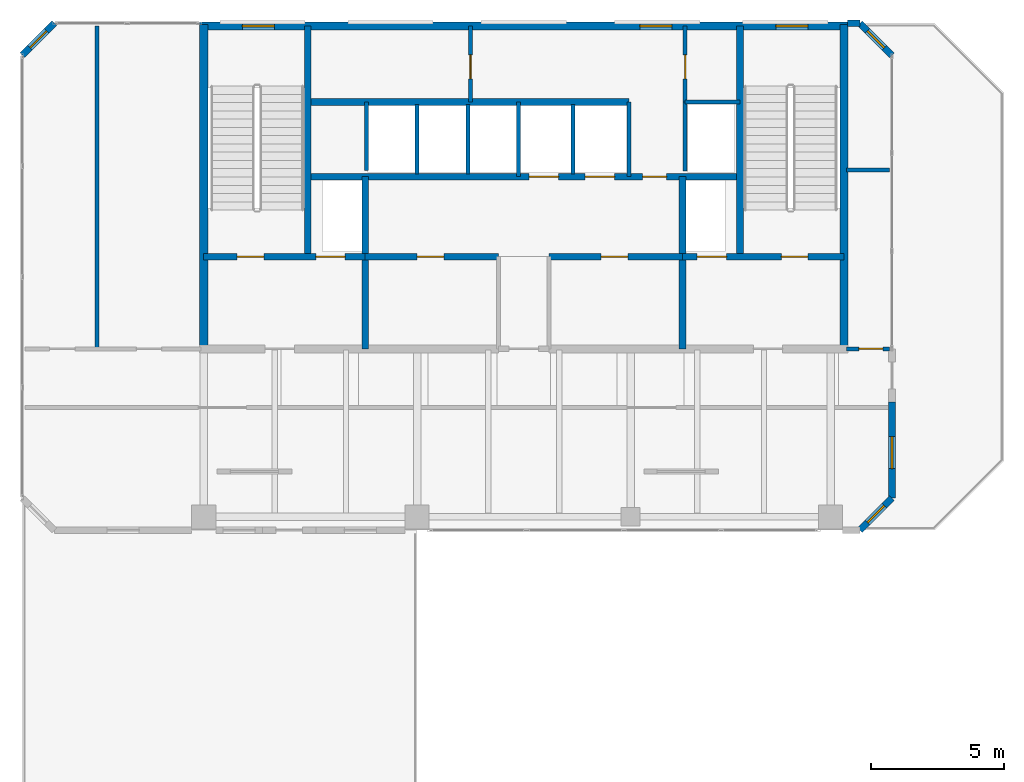
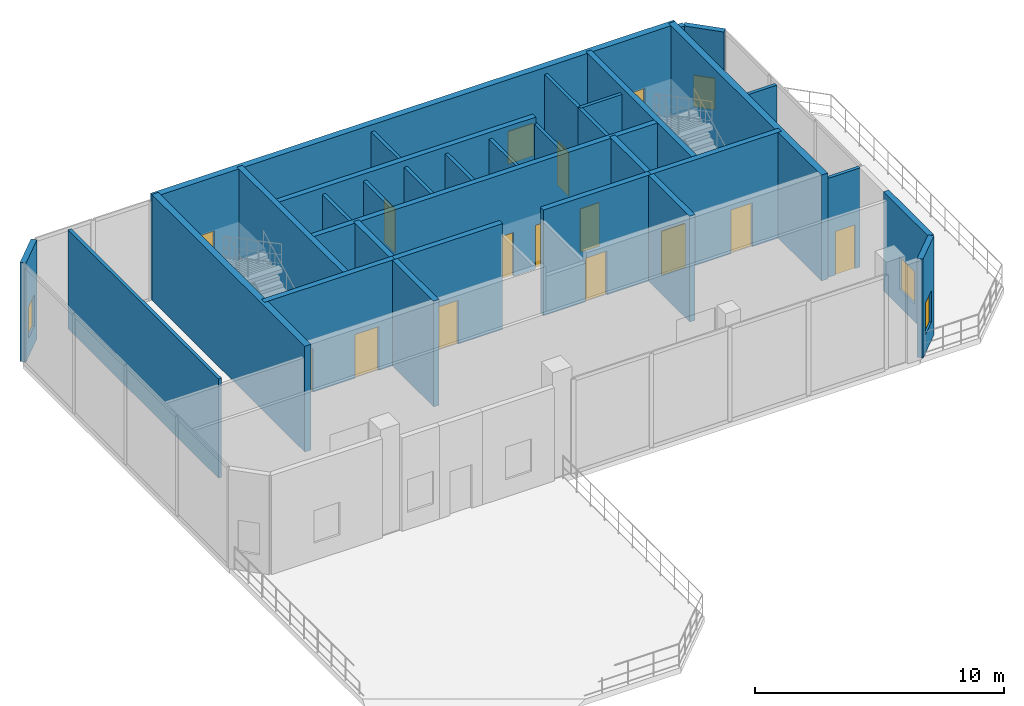
# One storey, part 8 of 11: 31 walls, 12 doors, 7 windows, 19 openings.
"""IFC4 building model written with IfcOpenShell, lengths in metres."""

from ifc_helpers import new_model, si_unit, direction, frame, frame_2d, origin, place, context, subcontext, project, spatial, rectangle, extrude, material, layer, layer_set, type_object, element, fill, save


model = new_model("IFC4")

# Units and contexts
model_context = context("Model", 3, precision=1e-05, world=origin(), true_north=direction((0.0, 1.0)))
body_context = subcontext(model_context, "Body", "Model", "MODEL_VIEW")
ifc_project = project(units=[si_unit("LENGTHUNIT", "METRE"), si_unit("AREAUNIT", "SQUARE_METRE"), si_unit("VOLUMEUNIT", "CUBIC_METRE"), si_unit("PLANEANGLEUNIT", "RADIAN"), si_unit("MASSUNIT", "GRAM", prefix="KILO")], contexts=[model_context])

# Site, building, storey
site_placement = place(None, origin())
site = spatial("IfcSite", under=ifc_project, at=site_placement, CompositionType="ELEMENT")
building_placement = place(site_placement, origin())
building = spatial("IfcBuilding", under=site, at=building_placement, Name="Catumbela Crestline Tower", CompositionType="ELEMENT")
storey_placement = place(building_placement, frame((0.0, 0.0, 290.6)))
storey = spatial("IfcBuildingStorey", under=building, at=storey_placement, Name="L75", CompositionType="ELEMENT", Elevation=290.6)

# Walls
ifc_material_1 = material(Name="Concrete C50/60", Category="concrete")
ifc_layer_1 = layer(ifc_material_1, 0.25, Name="Concrete C50/60")
ifc_layer_set_1 = layer_set([ifc_layer_1], Name="Concrete C50/60")
wall_type_1 = type_object("IfcWallType", Name="CW-250D", PredefinedType="SHEAR", material=ifc_layer_set_1)
for number, where, z_axis, x_axis, name in (
    (1, (19.9, 34.25, 0.0), (0.0, 0.0, 1.0), (0.0, 1.0, 0.0), "L75 Structural Core Shear Wall WWEB"),
    (2, (36.1, 34.25, 0.0), (0.0, 0.0, 1.0), (0.0, 1.0, 0.0), "L75 Structural Core Shear Wall EWEB"),
):
    element("IfcWall", number, at=place(storey_placement, frame(where, z_axis=z_axis, x_axis=x_axis)), inside=storey, type_object=wall_type_1, Name=name, PredefinedType="SHEAR", context=body_context, shape_type="SweptSolid", body=[
        extrude(rectangle(XDim=8.65, YDim=0.25, at=frame_2d((4.325, 0.0))), origin(), (0.0, 0.0, 1.0), 5.2),
    ])
for number, where, z_axis, x_axis, name in (
    (3, (22.05, 30.8, 0.0), (0.0, 0.0, 1.0), (0.0, 1.0, 0.0), "L75 Structural Core Shear Wall FFW"),
    (4, (33.95, 30.8, 0.0), (0.0, 0.0, 1.0), (0.0, 1.0, 0.0), "L75 Structural Core Shear Wall FFE"),
):
    element("IfcWall", number, at=place(storey_placement, frame(where, z_axis=z_axis, x_axis=x_axis)), inside=storey, type_object=wall_type_1, Name=name, PredefinedType="SHEAR", context=body_context, shape_type="SweptSolid", body=[
        extrude(rectangle(XDim=6.45, YDim=0.25, at=frame_2d((3.225, 0.0))), origin(), (0.0, 0.0, 1.0), 5.2),
    ])

# Wall, openings, doors
wall_1_placement = place(storey_placement, frame((16.0, 34.25, 0.0), z_axis=(0.0, 0.0, 1.0), x_axis=(1.0, 0.0, 0.0)))
wall_1 = element("IfcWall", 5, at=wall_1_placement, inside=storey, type_object=wall_type_1, Name="L75 Structural Core Shear Wall ST1S", PredefinedType="SHEAR", context=body_context, shape_type="SweptSolid", body=[
    extrude(rectangle(XDim=6.05, YDim=0.25, at=frame_2d((3.025, 0.0))), origin(), (0.0, 0.0, 1.0), 5.2),
])
opening_1_placement = place(wall_1_placement, frame((1.25, 0.0, 0.0)))
opening_1 = element("IfcOpeningElement", 6, at=opening_1_placement, cuts=wall_1, Name="Opening DF9-100", PredefinedType="OPENING", context=body_context, shape_type="SweptSolid", body=[
    extrude(rectangle(XDim=1.0, YDim=2.15, at=frame_2d((0.5, 1.075))), frame((0.0, 0.135, 0.0), z_axis=(0.0, -1.0, 0.0), x_axis=(1.0, 0.0, 0.0)), (0.0, 0.0, 1.0), 0.27),
])
opening_2_placement = place(wall_1_placement, frame((4.2, 0.0, 0.0)))
opening_2 = element("IfcOpeningElement", 7, at=opening_2_placement, cuts=wall_1, Name="Opening LD-110", PredefinedType="OPENING", context=body_context, shape_type="SweptSolid", body=[
    extrude(rectangle(XDim=1.1, YDim=2.15, at=frame_2d((0.55, 1.075))), frame((0.0, 0.135, 0.0), z_axis=(0.0, -1.0, 0.0), x_axis=(1.0, 0.0, 0.0)), (0.0, 0.0, 1.0), 0.27),
])
ifc_material_2 = material(Name="Stainless steel EN 1.4401", Category="steel")
door_type_1 = type_object("IfcDoorType", Name="DF9-100", OperationType="NOTDEFINED", PredefinedType="DOOR", material=ifc_material_2)
door_1_placement = place(opening_1_placement, origin())
door_1 = element("IfcDoor", 8, at=door_1_placement, inside=storey, type_object=door_type_1, Name="L75 Interior Door DR-L75-ST01", OperationType="SINGLE_SWING_LEFT", OverallHeight=2.15, OverallWidth=1.0, PredefinedType="DOOR", context=body_context, shape_type="SweptSolid", body=[
    extrude(rectangle(XDim=1.0, YDim=2.15, at=frame_2d((0.5, 1.075))), frame((0.0, 0.025, 0.0), z_axis=(0.0, -1.0, 0.0), x_axis=(1.0, 0.0, 0.0)), (0.0, 0.0, 1.0), 0.05),
])
fill(opening_1, door_1)
door_type_2 = type_object("IfcDoorType", Name="LD-110", OperationType="NOTDEFINED", PredefinedType="DOOR", material=ifc_material_2)
door_2_placement = place(opening_2_placement, origin())
door_2 = element("IfcDoor", 9, at=door_2_placement, inside=storey, type_object=door_type_2, Name="L75 Lift Landing Sliding Door FL-01", OperationType="DOUBLE_DOOR_SLIDING", OverallHeight=2.15, OverallWidth=1.1, PredefinedType="DOOR", context=body_context, shape_type="SweptSolid", body=[
    extrude(rectangle(XDim=1.1, YDim=2.15, at=frame_2d((0.55, 1.075))), frame((0.0, 0.025, 0.0), z_axis=(0.0, -1.0, 0.0), x_axis=(1.0, 0.0, 0.0)), (0.0, 0.0, 1.0), 0.05),
])
fill(opening_2, door_2)

wall_2_placement = place(storey_placement, frame((33.95, 34.25, 0.0), z_axis=(0.0, 0.0, 1.0), x_axis=(1.0, 0.0, 0.0)))
wall_2 = element("IfcWall", 10, at=wall_2_placement, inside=storey, type_object=wall_type_1, Name="L75 Structural Core Shear Wall ST2S", PredefinedType="SHEAR", context=body_context, shape_type="SweptSolid", body=[
    extrude(rectangle(XDim=6.05, YDim=0.25, at=frame_2d((3.025, 0.0))), origin(), (0.0, 0.0, 1.0), 5.2),
])
opening_3_placement = place(wall_2_placement, frame((3.7, 0.0, 0.0)))
opening_3 = element("IfcOpeningElement", 11, at=opening_3_placement, cuts=wall_2, Name="Opening DF9-100", PredefinedType="OPENING", context=body_context, shape_type="SweptSolid", body=[
    extrude(rectangle(XDim=1.0, YDim=2.15, at=frame_2d((0.5, 1.075))), frame((0.0, 0.135, 0.0), z_axis=(0.0, -1.0, 0.0), x_axis=(1.0, 0.0, 0.0)), (0.0, 0.0, 1.0), 0.27),
])
opening_4_placement = place(wall_2_placement, frame((0.55, 0.0, 0.0)))
opening_4 = element("IfcOpeningElement", 12, at=opening_4_placement, cuts=wall_2, Name="Opening LD-110", PredefinedType="OPENING", context=body_context, shape_type="SweptSolid", body=[
    extrude(rectangle(XDim=1.1, YDim=2.15, at=frame_2d((0.55, 1.075))), frame((0.0, 0.135, 0.0), z_axis=(0.0, -1.0, 0.0), x_axis=(1.0, 0.0, 0.0)), (0.0, 0.0, 1.0), 0.27),
])
door_3_placement = place(opening_3_placement, origin())
door_3 = element("IfcDoor", 13, at=door_3_placement, inside=storey, type_object=door_type_1, Name="L75 Interior Door DR-L75-ST02", OperationType="SINGLE_SWING_RIGHT", OverallHeight=2.15, OverallWidth=1.0, PredefinedType="DOOR", context=body_context, shape_type="SweptSolid", body=[
    extrude(rectangle(XDim=1.0, YDim=2.15, at=frame_2d((0.5, 1.075))), frame((0.0, 0.025, 0.0), z_axis=(0.0, -1.0, 0.0), x_axis=(1.0, 0.0, 0.0)), (0.0, 0.0, 1.0), 0.05),
])
fill(opening_3, door_3)
door_4_placement = place(opening_4_placement, origin())
door_4 = element("IfcDoor", 14, at=door_4_placement, inside=storey, type_object=door_type_2, Name="L75 Lift Landing Sliding Door FL-02", OperationType="DOUBLE_DOOR_SLIDING", OverallHeight=2.15, OverallWidth=1.1, PredefinedType="DOOR", context=body_context, shape_type="SweptSolid", body=[
    extrude(rectangle(XDim=1.1, YDim=2.15, at=frame_2d((0.55, 1.075))), frame((0.0, 0.025, 0.0), z_axis=(0.0, -1.0, 0.0), x_axis=(1.0, 0.0, 0.0)), (0.0, 0.0, 1.0), 0.05),
])
fill(opening_4, door_4)

# Wall, opening, door
wall_3_placement = place(storey_placement, frame((22.05, 34.25, 0.0), z_axis=(0.0, 0.0, 1.0), x_axis=(1.0, 0.0, 0.0)))
wall_3 = element("IfcWall", 15, at=wall_3_placement, inside=storey, type_object=wall_type_1, Name="L75 Structural Core Shear Wall LIFTS-W", PredefinedType="SHEAR", context=body_context, shape_type="SweptSolid", body=[
    extrude(rectangle(XDim=5.0, YDim=0.25, at=frame_2d((2.5, 0.0))), origin(), (0.0, 0.0, 1.0), 5.2),
])
opening_5_placement = place(wall_3_placement, frame((1.95, 0.0, 0.0)))
opening_5 = element("IfcOpeningElement", 16, at=opening_5_placement, cuts=wall_3, Name="Opening DF9-100", PredefinedType="OPENING", context=body_context, shape_type="SweptSolid", body=[
    extrude(rectangle(XDim=1.0, YDim=2.15, at=frame_2d((0.5, 1.075))), frame((0.0, 0.135, 0.0), z_axis=(0.0, -1.0, 0.0), x_axis=(1.0, 0.0, 0.0)), (0.0, 0.0, 1.0), 0.27),
])
door_5_placement = place(opening_5_placement, origin())
door_5 = element("IfcDoor", 17, at=door_5_placement, inside=storey, type_object=door_type_1, Name="L75 Interior Door DR-L75-RECL1", OperationType="SINGLE_SWING_LEFT", OverallHeight=2.15, OverallWidth=1.0, PredefinedType="DOOR", context=body_context, shape_type="SweptSolid", body=[
    extrude(rectangle(XDim=1.0, YDim=2.15, at=frame_2d((0.5, 1.075))), frame((0.0, 0.025, 0.0), z_axis=(0.0, -1.0, 0.0), x_axis=(1.0, 0.0, 0.0)), (0.0, 0.0, 1.0), 0.05),
])
fill(opening_5, door_5)

wall_4_placement = place(storey_placement, frame((28.95, 34.25, 0.0), z_axis=(0.0, 0.0, 1.0), x_axis=(1.0, 0.0, 0.0)))
wall_4 = element("IfcWall", 18, at=wall_4_placement, inside=storey, type_object=wall_type_1, Name="L75 Structural Core Shear Wall LIFTS-E", PredefinedType="SHEAR", context=body_context, shape_type="SweptSolid", body=[
    extrude(rectangle(XDim=5.0, YDim=0.25, at=frame_2d((2.5, 0.0))), origin(), (0.0, 0.0, 1.0), 5.2),
])
opening_6_placement = place(wall_4_placement, frame((1.95, 0.0, 0.0)))
opening_6 = element("IfcOpeningElement", 19, at=opening_6_placement, cuts=wall_4, Name="Opening DF9-100", PredefinedType="OPENING", context=body_context, shape_type="SweptSolid", body=[
    extrude(rectangle(XDim=1.0, YDim=2.15, at=frame_2d((0.5, 1.075))), frame((0.0, 0.135, 0.0), z_axis=(0.0, -1.0, 0.0), x_axis=(1.0, 0.0, 0.0)), (0.0, 0.0, 1.0), 0.27),
])
door_6_placement = place(opening_6_placement, origin())
door_6 = element("IfcDoor", 20, at=door_6_placement, inside=storey, type_object=door_type_1, Name="L75 Interior Door DR-L75-RECL2", OperationType="SINGLE_SWING_RIGHT", OverallHeight=2.15, OverallWidth=1.0, PredefinedType="DOOR", context=body_context, shape_type="SweptSolid", body=[
    extrude(rectangle(XDim=1.0, YDim=2.15, at=frame_2d((0.5, 1.075))), frame((0.0, 0.025, 0.0), z_axis=(0.0, -1.0, 0.0), x_axis=(1.0, 0.0, 0.0)), (0.0, 0.0, 1.0), 0.05),
])
fill(opening_6, door_6)

# Wall, openings, doors
wall_5_placement = place(storey_placement, frame((19.9, 37.25, 0.0), z_axis=(0.0, 0.0, 1.0), x_axis=(1.0, 0.0, 0.0)))
wall_5 = element("IfcWall", 21, at=wall_5_placement, inside=storey, type_object=wall_type_1, Name="L75 Structural Core Shear Wall LIFTN", PredefinedType="SHEAR", context=body_context, shape_type="SweptSolid", body=[
    extrude(rectangle(XDim=16.2, YDim=0.25, at=frame_2d((8.1, 0.0))), origin(), (0.0, 0.0, 1.0), 5.2),
])
opening_7_placement = place(wall_5_placement, frame((12.55, 0.0, 0.0)))
opening_7 = element("IfcOpeningElement", 22, at=opening_7_placement, cuts=wall_5, Name="Opening DF9-090", PredefinedType="OPENING", context=body_context, shape_type="SweptSolid", body=[
    extrude(rectangle(XDim=0.9, YDim=2.15, at=frame_2d((0.45, 1.075))), frame((0.0, 0.135, 0.0), z_axis=(0.0, -1.0, 0.0), x_axis=(1.0, 0.0, 0.0)), (0.0, 0.0, 1.0), 0.27),
])
opening_8_placement = place(wall_5_placement, frame((8.3, 0.0, 0.0)))
opening_8 = element("IfcOpeningElement", 23, at=opening_8_placement, cuts=wall_5, Name="Opening LD-110", PredefinedType="OPENING", context=body_context, shape_type="SweptSolid", body=[
    extrude(rectangle(XDim=1.1, YDim=2.15, at=frame_2d((0.55, 1.075))), frame((0.0, 0.135, 0.0), z_axis=(0.0, -1.0, 0.0), x_axis=(1.0, 0.0, 0.0)), (0.0, 0.0, 1.0), 0.27),
])
opening_9_placement = place(wall_5_placement, frame((10.4, 0.0, 0.0)))
opening_9 = element("IfcOpeningElement", 24, at=opening_9_placement, cuts=wall_5, Name="Opening LD-110", PredefinedType="OPENING", context=body_context, shape_type="SweptSolid", body=[
    extrude(rectangle(XDim=1.1, YDim=2.15, at=frame_2d((0.55, 1.075))), frame((0.0, 0.135, 0.0), z_axis=(0.0, -1.0, 0.0), x_axis=(1.0, 0.0, 0.0)), (0.0, 0.0, 1.0), 0.27),
])
door_type_3 = type_object("IfcDoorType", Name="DF9-090", OperationType="NOTDEFINED", PredefinedType="DOOR", material=ifc_material_2)
door_7_placement = place(opening_7_placement, origin())
door_7 = element("IfcDoor", 25, at=door_7_placement, inside=storey, type_object=door_type_3, Name="L75 Interior Door DR-L75-CPAS1", OperationType="SINGLE_SWING_LEFT", OverallHeight=2.15, OverallWidth=0.9, PredefinedType="DOOR", context=body_context, shape_type="SweptSolid", body=[
    extrude(rectangle(XDim=0.9, YDim=2.15, at=frame_2d((0.45, 1.075))), frame((0.0, 0.025, 0.0), z_axis=(0.0, -1.0, 0.0), x_axis=(1.0, 0.0, 0.0)), (0.0, 0.0, 1.0), 0.05),
])
fill(opening_7, door_7)
door_8_placement = place(opening_8_placement, origin())
door_8 = element("IfcDoor", 26, at=door_8_placement, inside=storey, type_object=door_type_2, Name="L75 Lift Landing Sliding Door PL-EX1", OperationType="DOUBLE_DOOR_SLIDING", OverallHeight=2.15, OverallWidth=1.1, PredefinedType="DOOR", context=body_context, shape_type="SweptSolid", body=[
    extrude(rectangle(XDim=1.1, YDim=2.15, at=frame_2d((0.55, 1.075))), frame((0.0, 0.025, 0.0), z_axis=(0.0, -1.0, 0.0), x_axis=(1.0, 0.0, 0.0)), (0.0, 0.0, 1.0), 0.05),
])
fill(opening_8, door_8)
door_9_placement = place(opening_9_placement, origin())
door_9 = element("IfcDoor", 27, at=door_9_placement, inside=storey, type_object=door_type_2, Name="L75 Lift Landing Sliding Door PL-EX2", OperationType="DOUBLE_DOOR_SLIDING", OverallHeight=2.15, OverallWidth=1.1, PredefinedType="DOOR", context=body_context, shape_type="SweptSolid", body=[
    extrude(rectangle(XDim=1.1, YDim=2.15, at=frame_2d((0.55, 1.075))), frame((0.0, 0.025, 0.0), z_axis=(0.0, -1.0, 0.0), x_axis=(1.0, 0.0, 0.0)), (0.0, 0.0, 1.0), 0.05),
])
fill(opening_9, door_9)

# Walls
wall_6_placement = place(storey_placement, frame((19.9, 40.05, 0.0), z_axis=(0.0, 0.0, 1.0), x_axis=(1.0, 0.0, 0.0)))
element("IfcWall", 28, at=wall_6_placement, inside=storey, type_object=wall_type_1, Name="L75 Structural Core Shear Wall COREN", PredefinedType="SHEAR", context=body_context, shape_type="SweptSolid", body=[
    extrude(rectangle(XDim=12.05, YDim=0.25, at=frame_2d((6.025, 0.0))), origin(), (0.0, 0.0, 1.0), 5.2),
])
ifc_material_3 = material(Name="Concrete C45/55", Category="concrete")
ifc_layer_2 = layer(ifc_material_3, 0.3, Name="Concrete C45/55")
ifc_layer_set_2 = layer_set([ifc_layer_2], Name="Concrete C45/55")
wall_type_2 = type_object("IfcWallType", Name="CW-300C", PredefinedType="SHEAR", material=ifc_layer_set_2)
for number, where, z_axis, x_axis, name in (
    (29, (16.0, 30.65, 0.0), (0.0, 0.0, 1.0), (0.0, 1.0, 0.0), "L75 Structural Core Shear Wall W"),
    (30, (40.0, 30.65, 0.0), (0.0, 0.0, 1.0), (0.0, 1.0, 0.0), "L75 Structural Core Shear Wall E"),
):
    element("IfcWall", number, at=place(storey_placement, frame(where, z_axis=z_axis, x_axis=x_axis)), inside=storey, type_object=wall_type_2, Name=name, PredefinedType="SHEAR", context=body_context, shape_type="SweptSolid", body=[
        extrude(rectangle(XDim=12.3, YDim=0.3, at=frame_2d((6.15, 0.0))), origin(), (0.0, 0.0, 1.0), 5.2),
    ])

# Wall, openings, windows
ifc_layer_3 = layer(ifc_material_3, 0.3, Name="Concrete C45/55")
ifc_layer_set_3 = layer_set([ifc_layer_3], Name="Concrete C45/55")
wall_type_3 = type_object("IfcWallType", Name="CW-300E", PredefinedType="SHEAR", material=ifc_layer_set_3)
wall_7_placement = place(storey_placement, frame((15.85, 42.9, 0.0), z_axis=(0.0, 0.0, 1.0), x_axis=(1.0, 0.0, 0.0)))
wall_7 = element("IfcWall", 31, at=wall_7_placement, inside=storey, type_object=wall_type_3, Name="L75 Structural Core Shear Wall N", PredefinedType="SHEAR", context=body_context, shape_type="SweptSolid", body=[
    extrude(rectangle(XDim=24.3, YDim=0.3, at=frame_2d((12.15, 0.0))), origin(), (0.0, 0.0, 1.0), 5.2),
])
opening_10_placement = place(wall_7_placement, frame((1.6, 0.0, 0.95)))
opening_10 = element("IfcOpeningElement", 32, at=opening_10_placement, cuts=wall_7, Name="Opening WN-02", PredefinedType="OPENING", context=body_context, shape_type="SweptSolid", body=[
    extrude(rectangle(XDim=1.2, YDim=1.6, at=frame_2d((0.6, 0.8))), frame((0.0, 0.16, 0.0), z_axis=(0.0, -1.0, 0.0), x_axis=(1.0, 0.0, 0.0)), (0.0, 0.0, 1.0), 0.32),
])
opening_11_placement = place(wall_7_placement, frame((16.5, 0.0, 0.95)))
opening_11 = element("IfcOpeningElement", 33, at=opening_11_placement, cuts=wall_7, Name="Opening WN-02", PredefinedType="OPENING", context=body_context, shape_type="SweptSolid", body=[
    extrude(rectangle(XDim=1.2, YDim=1.6, at=frame_2d((0.6, 0.8))), frame((0.0, 0.16, 0.0), z_axis=(0.0, -1.0, 0.0), x_axis=(1.0, 0.0, 0.0)), (0.0, 0.0, 1.0), 0.32),
])
opening_12_placement = place(wall_7_placement, frame((21.6, 0.0, 0.95)))
opening_12 = element("IfcOpeningElement", 34, at=opening_12_placement, cuts=wall_7, Name="Opening WN-02", PredefinedType="OPENING", context=body_context, shape_type="SweptSolid", body=[
    extrude(rectangle(XDim=1.2, YDim=1.6, at=frame_2d((0.6, 0.8))), frame((0.0, 0.16, 0.0), z_axis=(0.0, -1.0, 0.0), x_axis=(1.0, 0.0, 0.0)), (0.0, 0.0, 1.0), 0.32),
])
ifc_material_4 = material(Name="Low-E laminated solar-control double glazing", Category="glass")
window_type_1 = type_object("IfcWindowType", Name="WO-1200", PartitioningType="SINGLE_PANEL", PredefinedType="WINDOW", material=ifc_material_4)
window_1_placement = place(opening_10_placement, origin())
window_1 = element("IfcWindow", 35, at=window_1_placement, inside=storey, type_object=window_type_1, Name="L75 North Core Daylight Vision Window 611", OverallHeight=1.6, OverallWidth=1.2, PartitioningType="SINGLE_PANEL", PredefinedType="WINDOW", context=body_context, shape_type="SweptSolid", body=[
    extrude(rectangle(XDim=1.2, YDim=1.6, at=frame_2d((0.6, 0.8))), frame((0.0, 0.03, 0.0), z_axis=(0.0, -1.0, 0.0), x_axis=(1.0, 0.0, 0.0)), (0.0, 0.0, 1.0), 0.06),
])
fill(opening_10, window_1)
window_2_placement = place(opening_11_placement, origin())
window_2 = element("IfcWindow", 36, at=window_2_placement, inside=storey, type_object=window_type_1, Name="L75 North Core Daylight Vision Window 612", OverallHeight=1.6, OverallWidth=1.2, PartitioningType="SINGLE_PANEL", PredefinedType="WINDOW", context=body_context, shape_type="SweptSolid", body=[
    extrude(rectangle(XDim=1.2, YDim=1.6, at=frame_2d((0.6, 0.8))), frame((0.0, 0.03, 0.0), z_axis=(0.0, -1.0, 0.0), x_axis=(1.0, 0.0, 0.0)), (0.0, 0.0, 1.0), 0.06),
])
fill(opening_11, window_2)
window_3_placement = place(opening_12_placement, origin())
window_3 = element("IfcWindow", 37, at=window_3_placement, inside=storey, type_object=window_type_1, Name="L75 North Core Daylight Vision Window 613", OverallHeight=1.6, OverallWidth=1.2, PartitioningType="SINGLE_PANEL", PredefinedType="WINDOW", context=body_context, shape_type="SweptSolid", body=[
    extrude(rectangle(XDim=1.2, YDim=1.6, at=frame_2d((0.6, 0.8))), frame((0.0, 0.03, 0.0), z_axis=(0.0, -1.0, 0.0), x_axis=(1.0, 0.0, 0.0)), (0.0, 0.0, 1.0), 0.06),
])
fill(opening_12, window_3)

# Wall, opening, window
ifc_material_5 = material(Name="Angolan grey-ochre granite", Category="masonry")
ifc_layer_4 = layer(ifc_material_5, 0.25, Name="Angolan grey-ochre granite")
ifc_layer_set_4 = layer_set([ifc_layer_4], Name="Angolan grey-ochre granite")
wall_type_4 = type_object("IfcWallType", Name="WE-250", PredefinedType="STANDARD", material=ifc_layer_set_4)
wall_8_placement = place(storey_placement, frame((40.6, 24.0, 0.0), z_axis=(0.0, 0.0, 1.0), x_axis=(0.707106781187, 0.707106781187, 0.0)))
wall_8 = element("IfcWall", 38, at=wall_8_placement, inside=storey, type_object=wall_type_4, Name="L75 Granite Punched Window Wall 1-1", PredefinedType="STANDARD", context=body_context, shape_type="SweptSolid", body=[
    extrude(rectangle(XDim=1.6971, YDim=0.25, at=frame_2d((0.8486, 0.0))), origin(), (0.0, 0.0, 1.0), 4.87),
])
opening_13_placement = place(wall_8_placement, frame((0.3986, 0.0, 0.9)))
opening_13 = element("IfcOpeningElement", 39, at=opening_13_placement, cuts=wall_8, Name="Opening WN-03", PredefinedType="OPENING", context=body_context, shape_type="SweptSolid", body=[
    extrude(rectangle(XDim=0.9, YDim=1.55, at=frame_2d((0.45, 0.775))), frame((0.0, 0.135, 0.0), z_axis=(0.0, -1.0, 0.0), x_axis=(1.0, 0.0, 0.0)), (0.0, 0.0, 1.0), 0.27),
])
window_type_2 = type_object("IfcWindowType", Name="WO-0900", PartitioningType="SINGLE_PANEL", PredefinedType="WINDOW", material=ifc_material_4)
window_4_placement = place(opening_13_placement, origin())
window_4 = element("IfcWindow", 40, at=window_4_placement, inside=storey, type_object=window_type_2, Name="L75 Facade Vision Window 617", OverallHeight=1.55, OverallWidth=0.9, PartitioningType="SINGLE_PANEL", PredefinedType="WINDOW", context=body_context, shape_type="SweptSolid", body=[
    extrude(rectangle(XDim=0.9, YDim=1.55, at=frame_2d((0.45, 0.775))), frame((0.0, 0.03, 0.0), z_axis=(0.0, -1.0, 0.0), x_axis=(1.0, 0.0, 0.0)), (0.0, 0.0, 1.0), 0.06),
])
fill(opening_13, window_4)

wall_9_placement = place(storey_placement, frame((41.8, 25.2, 0.0), z_axis=(0.0, 0.0, 1.0), x_axis=(0.0, 1.0, 0.0)))
wall_9 = element("IfcWall", 41, at=wall_9_placement, inside=storey, type_object=wall_type_4, Name="L75 Granite Punched Window Wall 2-1", PredefinedType="STANDARD", context=body_context, shape_type="SweptSolid", body=[
    extrude(rectangle(XDim=3.6, YDim=0.25, at=frame_2d((1.8, 0.0))), origin(), (0.0, 0.0, 1.0), 4.87),
])
opening_14_placement = place(wall_9_placement, frame((1.11, 0.0, 0.85)))
opening_14 = element("IfcOpeningElement", 42, at=opening_14_placement, cuts=wall_9, Name="Opening WN-02", PredefinedType="OPENING", context=body_context, shape_type="SweptSolid", body=[
    extrude(rectangle(XDim=1.2, YDim=1.6, at=frame_2d((0.6, 0.8))), frame((0.0, 0.135, 0.0), z_axis=(0.0, -1.0, 0.0), x_axis=(1.0, 0.0, 0.0)), (0.0, 0.0, 1.0), 0.27),
])
window_5_placement = place(opening_14_placement, origin())
window_5 = element("IfcWindow", 43, at=window_5_placement, inside=storey, type_object=window_type_1, Name="L75 Facade Vision Window 618", OverallHeight=1.6, OverallWidth=1.2, PartitioningType="SINGLE_PANEL", PredefinedType="WINDOW", context=body_context, shape_type="SweptSolid", body=[
    extrude(rectangle(XDim=1.2, YDim=1.6, at=frame_2d((0.6, 0.8))), frame((0.0, 0.03, 0.0), z_axis=(0.0, -1.0, 0.0), x_axis=(1.0, 0.0, 0.0)), (0.0, 0.0, 1.0), 0.06),
])
fill(opening_14, window_5)

wall_10_placement = place(storey_placement, frame((41.8, 41.8, 0.0), z_axis=(0.0, 0.0, 1.0), x_axis=(-0.707106781187, 0.707106781187, 0.0)))
wall_10 = element("IfcWall", 44, at=wall_10_placement, inside=storey, type_object=wall_type_4, Name="L75 Granite Punched Window Wall 3-1", PredefinedType="STANDARD", context=body_context, shape_type="SweptSolid", body=[
    extrude(rectangle(XDim=1.6971, YDim=0.25, at=frame_2d((0.8486, 0.0))), origin(), (0.0, 0.0, 1.0), 4.87),
])
opening_15_placement = place(wall_10_placement, frame((0.3986, 0.0, 0.9)))
opening_15 = element("IfcOpeningElement", 45, at=opening_15_placement, cuts=wall_10, Name="Opening WN-03", PredefinedType="OPENING", context=body_context, shape_type="SweptSolid", body=[
    extrude(rectangle(XDim=0.9, YDim=1.55, at=frame_2d((0.45, 0.775))), frame((0.0, 0.135, 0.0), z_axis=(0.0, -1.0, 0.0), x_axis=(1.0, 0.0, 0.0)), (0.0, 0.0, 1.0), 0.27),
])
window_6_placement = place(opening_15_placement, origin())
window_6 = element("IfcWindow", 46, at=window_6_placement, inside=storey, type_object=window_type_2, Name="L75 Facade Vision Window 619", OverallHeight=1.55, OverallWidth=0.9, PartitioningType="SINGLE_PANEL", PredefinedType="WINDOW", context=body_context, shape_type="SweptSolid", body=[
    extrude(rectangle(XDim=0.9, YDim=1.55, at=frame_2d((0.45, 0.775))), frame((0.0, 0.03, 0.0), z_axis=(0.0, -1.0, 0.0), x_axis=(1.0, 0.0, 0.0)), (0.0, 0.0, 1.0), 0.06),
])
fill(opening_15, window_6)

# Wall
wall_11_placement = place(storey_placement, frame((40.6, 43.0, 0.0), z_axis=(0.0, 0.0, 1.0), x_axis=(-1.0, 0.0, 0.0)))
element("IfcWall", 47, at=wall_11_placement, inside=storey, type_object=wall_type_4, Name="L75 Granite Punched Window Wall 4-1", PredefinedType="STANDARD", context=body_context, shape_type="SweptSolid", body=[
    extrude(rectangle(XDim=0.46, YDim=0.25, at=frame_2d((0.23, 0.0))), origin(), (0.0, 0.0, 1.0), 4.87),
])

# Wall, opening, window
wall_12_placement = place(storey_placement, frame((10.4, 43.0, 0.0), z_axis=(0.0, 0.0, 1.0), x_axis=(-0.707106781187, -0.707106781187, 0.0)))
wall_12 = element("IfcWall", 48, at=wall_12_placement, inside=storey, type_object=wall_type_4, Name="L75 Granite Punched Window Wall 5-1", PredefinedType="STANDARD", context=body_context, shape_type="SweptSolid", body=[
    extrude(rectangle(XDim=1.6971, YDim=0.25, at=frame_2d((0.8486, 0.0))), origin(), (0.0, 0.0, 1.0), 4.87),
])
opening_16_placement = place(wall_12_placement, frame((0.3986, 0.0, 0.9)))
opening_16 = element("IfcOpeningElement", 49, at=opening_16_placement, cuts=wall_12, Name="Opening WN-03", PredefinedType="OPENING", context=body_context, shape_type="SweptSolid", body=[
    extrude(rectangle(XDim=0.9, YDim=1.55, at=frame_2d((0.45, 0.775))), frame((0.0, 0.135, 0.0), z_axis=(0.0, -1.0, 0.0), x_axis=(1.0, 0.0, 0.0)), (0.0, 0.0, 1.0), 0.27),
])
window_7_placement = place(opening_16_placement, origin())
window_7 = element("IfcWindow", 50, at=window_7_placement, inside=storey, type_object=window_type_2, Name="L75 Facade Vision Window 620", OverallHeight=1.55, OverallWidth=0.9, PartitioningType="SINGLE_PANEL", PredefinedType="WINDOW", context=body_context, shape_type="SweptSolid", body=[
    extrude(rectangle(XDim=0.9, YDim=1.55, at=frame_2d((0.45, 0.775))), frame((0.0, 0.03, 0.0), z_axis=(0.0, -1.0, 0.0), x_axis=(1.0, 0.0, 0.0)), (0.0, 0.0, 1.0), 0.06),
])
fill(opening_16, window_7)

# Wall
ifc_material_6 = material(Name="Acoustic gypsum and mineral-wool partition")
ifc_layer_5 = layer(ifc_material_6, 0.15, Name="Acoustic gypsum and mineral-wool partition")
ifc_layer_set_5 = layer_set([ifc_layer_5], Name="Acoustic gypsum and mineral-wool partition")
wall_type_5 = type_object("IfcWallType", Name="WP-150", PredefinedType="PARTITIONING", material=ifc_layer_set_5)
wall_13_placement = place(storey_placement, frame((34.05, 40.05, 0.0), z_axis=(0.0, 0.0, 1.0), x_axis=(1.0, 0.0, 0.0)))
element("IfcWall", 51, at=wall_13_placement, inside=storey, type_object=wall_type_5, Name="L75 Interior Partition PW-L75-CR-ES", PredefinedType="PARTITIONING", context=body_context, shape_type="SweptSolid", body=[
    extrude(rectangle(XDim=2.05, YDim=0.15, at=frame_2d((1.025, 0.0))), origin(), (0.0, 0.0, 1.0), 4.87),
])

# Wall, opening, door
wall_14_placement = place(storey_placement, frame((34.05, 40.05, 0.0), z_axis=(0.0, 0.0, 1.0), x_axis=(0.0, 1.0, 0.0)))
wall_14 = element("IfcWall", 52, at=wall_14_placement, inside=storey, type_object=wall_type_5, Name="L75 Interior Partition PW-L75-CR-EW", PredefinedType="PARTITIONING", context=body_context, shape_type="SweptSolid", body=[
    extrude(rectangle(XDim=2.85, YDim=0.15, at=frame_2d((1.425, 0.0))), origin(), (0.0, 0.0, 1.0), 4.87),
])
opening_17_placement = place(wall_14_placement, frame((0.865, 0.0, 0.0)))
opening_17 = element("IfcOpeningElement", 53, at=opening_17_placement, cuts=wall_14, Name="Opening DF9-090", PredefinedType="OPENING", context=body_context, shape_type="SweptSolid", body=[
    extrude(rectangle(XDim=0.9, YDim=2.15, at=frame_2d((0.45, 1.075))), frame((0.0, 0.085, 0.0), z_axis=(0.0, -1.0, 0.0), x_axis=(1.0, 0.0, 0.0)), (0.0, 0.0, 1.0), 0.17),
])
door_10_placement = place(opening_17_placement, origin())
door_10 = element("IfcDoor", 54, at=door_10_placement, inside=storey, type_object=door_type_3, Name="L75 Interior Door DR-L75-CREAST", OperationType="SINGLE_SWING_RIGHT", OverallHeight=2.15, OverallWidth=0.9, PredefinedType="DOOR", context=body_context, shape_type="SweptSolid", body=[
    extrude(rectangle(XDim=0.9, YDim=2.15, at=frame_2d((0.45, 1.075))), frame((0.0, 0.025, 0.0), z_axis=(0.0, -1.0, 0.0), x_axis=(1.0, 0.0, 0.0)), (0.0, 0.0, 1.0), 0.05),
])
fill(opening_17, door_10)

wall_15_placement = place(storey_placement, frame((26.0, 40.05, 0.0), z_axis=(0.0, 0.0, 1.0), x_axis=(0.0, 1.0, 0.0)))
wall_15 = element("IfcWall", 55, at=wall_15_placement, inside=storey, type_object=wall_type_5, Name="L75 Interior Partition PW-L75-CR-WW", PredefinedType="PARTITIONING", context=body_context, shape_type="SweptSolid", body=[
    extrude(rectangle(XDim=2.85, YDim=0.15, at=frame_2d((1.425, 0.0))), origin(), (0.0, 0.0, 1.0), 4.87),
])
opening_18_placement = place(wall_15_placement, frame((0.865, 0.0, 0.0)))
opening_18 = element("IfcOpeningElement", 56, at=opening_18_placement, cuts=wall_15, Name="Opening DF9-090", PredefinedType="OPENING", context=body_context, shape_type="SweptSolid", body=[
    extrude(rectangle(XDim=0.9, YDim=2.15, at=frame_2d((0.45, 1.075))), frame((0.0, 0.085, 0.0), z_axis=(0.0, -1.0, 0.0), x_axis=(1.0, 0.0, 0.0)), (0.0, 0.0, 1.0), 0.17),
])
door_11_placement = place(opening_18_placement, origin())
door_11 = element("IfcDoor", 57, at=door_11_placement, inside=storey, type_object=door_type_3, Name="L75 Interior Door DR-L75-CRWEST", OperationType="SINGLE_SWING_LEFT", OverallHeight=2.15, OverallWidth=0.9, PredefinedType="DOOR", context=body_context, shape_type="SweptSolid", body=[
    extrude(rectangle(XDim=0.9, YDim=2.15, at=frame_2d((0.45, 1.075))), frame((0.0, 0.025, 0.0), z_axis=(0.0, -1.0, 0.0), x_axis=(1.0, 0.0, 0.0)), (0.0, 0.0, 1.0), 0.05),
])
fill(opening_18, door_11)

wall_16_placement = place(storey_placement, frame((40.1, 30.8, 0.0), z_axis=(0.0, 0.0, 1.0), x_axis=(1.0, 0.0, 0.0)))
wall_16 = element("IfcWall", 58, at=wall_16_placement, inside=storey, type_object=wall_type_5, Name="L75 Interior Partition PW-L75-WC", PredefinedType="PARTITIONING", context=body_context, shape_type="SweptSolid", body=[
    extrude(rectangle(XDim=1.6, YDim=0.15, at=frame_2d((0.8, 0.0))), origin(), (0.0, 0.0, 1.0), 4.87),
])
opening_19_placement = place(wall_16_placement, frame((0.46, 0.0, 0.0)))
opening_19 = element("IfcOpeningElement", 59, at=opening_19_placement, cuts=wall_16, Name="Opening DI-090", PredefinedType="OPENING", context=body_context, shape_type="SweptSolid", body=[
    extrude(rectangle(XDim=0.9, YDim=2.15, at=frame_2d((0.45, 1.075))), frame((0.0, 0.085, 0.0), z_axis=(0.0, -1.0, 0.0), x_axis=(1.0, 0.0, 0.0)), (0.0, 0.0, 1.0), 0.17),
])
ifc_material_7 = material(Name="Aluminium alloy AW-6060-T66", Category="aluminium")
door_type_4 = type_object("IfcDoorType", Name="DI-090", OperationType="NOTDEFINED", PredefinedType="DOOR", material=ifc_material_7)
door_12_placement = place(opening_19_placement, origin())
door_12 = element("IfcDoor", 60, at=door_12_placement, inside=storey, type_object=door_type_4, Name="L75 Interior Door DR-L75-AWC", OperationType="SINGLE_SWING_RIGHT", OverallHeight=2.15, OverallWidth=0.9, PredefinedType="DOOR", context=body_context, shape_type="SweptSolid", body=[
    extrude(rectangle(XDim=0.9, YDim=2.15, at=frame_2d((0.45, 1.075))), frame((0.0, 0.025, 0.0), z_axis=(0.0, -1.0, 0.0), x_axis=(1.0, 0.0, 0.0)), (0.0, 0.0, 1.0), 0.05),
])
fill(opening_19, door_12)

# Walls
wall_17_placement = place(storey_placement, frame((40.1, 37.5, 0.0), z_axis=(0.0, 0.0, 1.0), x_axis=(1.0, 0.0, 0.0)))
element("IfcWall", 61, at=wall_17_placement, inside=storey, type_object=wall_type_5, Name="L75 Interior Partition PW-L75-WCN", PredefinedType="PARTITIONING", context=body_context, shape_type="SweptSolid", body=[
    extrude(rectangle(XDim=1.6, YDim=0.15, at=frame_2d((0.8, 0.0))), origin(), (0.0, 0.0, 1.0), 4.87),
])
wall_18_placement = place(storey_placement, frame((12.0, 30.8, 0.0), z_axis=(0.0, 0.0, 1.0), x_axis=(0.0, 1.0, 0.0)))
element("IfcWall", 62, at=wall_18_placement, inside=storey, type_object=wall_type_5, Name="L75 Interior Partition PW-L75-CAFM", PredefinedType="PARTITIONING", context=body_context, shape_type="SweptSolid", body=[
    extrude(rectangle(XDim=12.1, YDim=0.15, at=frame_2d((6.05, 0.0))), origin(), (0.0, 0.0, 1.0), 4.87),
])
ifc_layer_6 = layer(ifc_material_6, 0.15, Name="Acoustic gypsum and mineral-wool partition")
ifc_layer_set_6 = layer_set([ifc_layer_6], Name="Acoustic gypsum and mineral-wool partition")
wall_type_6 = type_object("IfcWallType", Name="WS-150", PredefinedType="PLUMBINGWALL", material=ifc_layer_set_6)
wall_19_placement = place(storey_placement, frame((22.1, 37.4897, 0.0), z_axis=(0.0, 0.0, 1.0), x_axis=(0.0, 1.0, 0.0)))
element("IfcWall", 63, at=wall_19_placement, inside=storey, type_object=wall_type_6, Name="L75 Interior Partition PW-L75-SHH0", PredefinedType="PLUMBINGWALL", context=body_context, shape_type="SweptSolid", body=[
    extrude(rectangle(XDim=2.5603, YDim=0.15, at=frame_2d((1.2801, 0.0))), origin(), (0.0, 0.0, 1.0), 4.87),
])
wall_20_placement = place(storey_placement, frame((27.8, 37.25, 0.0), z_axis=(0.0, 0.0, 1.0), x_axis=(0.0, 1.0, 0.0)))
element("IfcWall", 64, at=wall_20_placement, inside=storey, type_object=wall_type_6, Name="L75 Interior Partition PW-L75-SHH3", PredefinedType="PLUMBINGWALL", context=body_context, shape_type="SweptSolid", body=[
    extrude(rectangle(XDim=2.8, YDim=0.15, at=frame_2d((1.4, 0.0))), origin(), (0.0, 0.0, 1.0), 4.87),
])
for number, where, z_axis, x_axis, name in (
    (65, (24.0, 37.35, 0.0), (0.0, 0.0, 1.0), (0.0, 1.0, 0.0), "L75 Interior Partition PW-L75-SHH1"),
    (66, (25.9, 37.35, 0.0), (0.0, 0.0, 1.0), (0.0, 1.0, 0.0), "L75 Interior Partition PW-L75-SHH2"),
):
    element("IfcWall", number, at=place(storey_placement, frame(where, z_axis=z_axis, x_axis=x_axis)), inside=storey, type_object=wall_type_6, Name=name, PredefinedType="PLUMBINGWALL", context=body_context, shape_type="SweptSolid", body=[
        extrude(rectangle(XDim=2.6, YDim=0.15, at=frame_2d((1.3, 0.0))), origin(), (0.0, 0.0, 1.0), 4.87),
    ])
wall_21_placement = place(storey_placement, frame((31.95, 37.25, 0.0), z_axis=(0.0, 0.0, 1.0), x_axis=(0.0, 1.0, 0.0)))
element("IfcWall", 67, at=wall_21_placement, inside=storey, type_object=wall_type_6, Name="L75 Interior Partition PW-L75-SHEX2E", PredefinedType="PLUMBINGWALL", context=body_context, shape_type="SweptSolid", body=[
    extrude(rectangle(XDim=2.8, YDim=0.15, at=frame_2d((1.4, 0.0))), origin(), (0.0, 0.0, 1.0), 4.87),
])
wall_22_placement = place(storey_placement, frame((29.85, 37.35, 0.0), z_axis=(0.0, 0.0, 1.0), x_axis=(0.0, 1.0, 0.0)))
element("IfcWall", 68, at=wall_22_placement, inside=storey, type_object=wall_type_6, Name="L75 Interior Partition PW-L75-SHEX1", PredefinedType="PLUMBINGWALL", context=body_context, shape_type="SweptSolid", body=[
    extrude(rectangle(XDim=2.6, YDim=0.15, at=frame_2d((1.3, 0.0))), origin(), (0.0, 0.0, 1.0), 4.87),
])
wall_23_placement = place(storey_placement, frame((34.05, 37.4734, 0.0), z_axis=(0.0, 0.0, 1.0), x_axis=(0.0, 1.0, 0.0)))
element("IfcWall", 69, at=wall_23_placement, inside=storey, type_object=wall_type_6, Name="L75 Interior Partition PW-L75-RISW", PredefinedType="PLUMBINGWALL", context=body_context, shape_type="SweptSolid", body=[
    extrude(rectangle(XDim=2.5766, YDim=0.15, at=frame_2d((1.2883, 0.0))), origin(), (0.0, 0.0, 1.0), 4.87),
])

save(model, "model.ifc")
